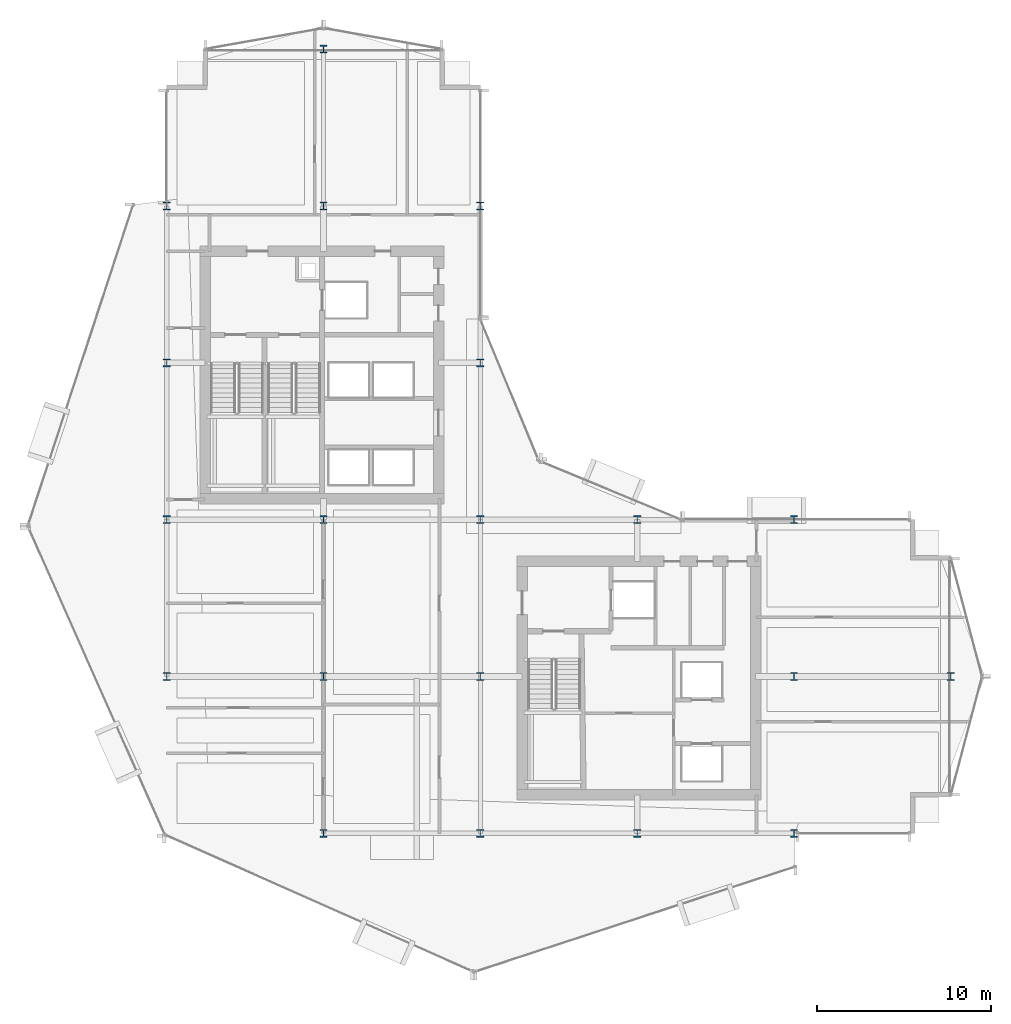
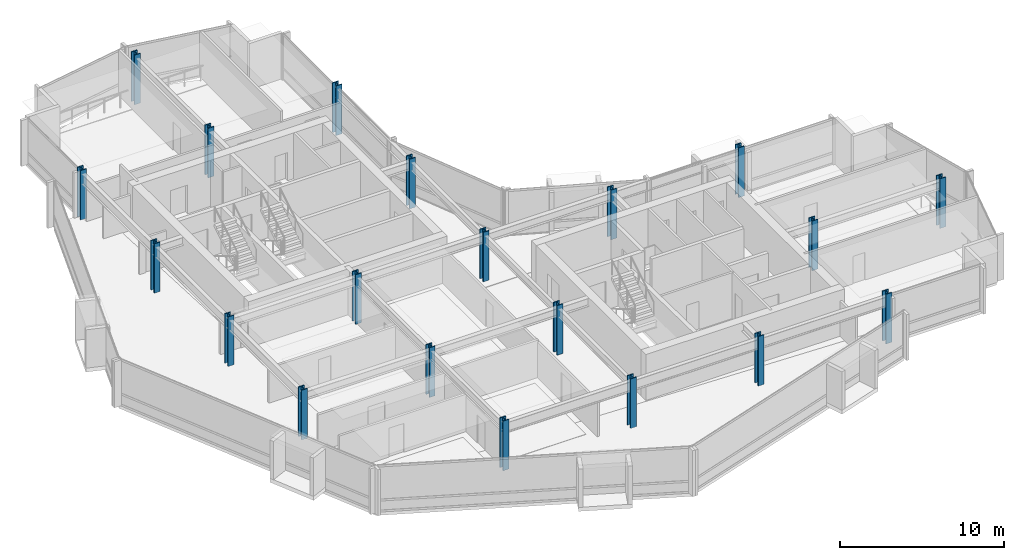
# One storey, part 1 of 29: 20 columns.
"""IFC4 building model written with IfcOpenShell, lengths in metres."""

from ifc_helpers import new_model, si_unit, direction, frame, origin, origin_2d, place, context, subcontext, project, spatial, i_section, extrude, material, material_profile, profile_set, type_object, element, save


model = new_model("IFC4")

# Units and contexts
model_context = context("Model", 3, precision=1e-05, world=origin(), true_north=direction((0.0, 1.0)))
body_context = subcontext(model_context, "Body", "Model", "MODEL_VIEW")
ifc_project = project(units=[si_unit("LENGTHUNIT", "METRE"), si_unit("AREAUNIT", "SQUARE_METRE"), si_unit("VOLUMEUNIT", "CUBIC_METRE"), si_unit("PLANEANGLEUNIT", "RADIAN"), si_unit("MASSUNIT", "GRAM", prefix="KILO")], contexts=[model_context])

# Site, building, storey
site_placement = place(None, origin())
site = spatial("IfcSite", under=ifc_project, at=site_placement, CompositionType="ELEMENT")
building_placement = place(site_placement, origin())
building = spatial("IfcBuilding", under=site, at=building_placement, Name="Solvaryn Broadcast Tower", CompositionType="ELEMENT")
storey_placement = place(building_placement, frame((0.0, 0.0, 113.699951171875)))
storey = spatial("IfcBuildingStorey", under=building, at=storey_placement, Name="L27", CompositionType="ELEMENT", Elevation=113.699951171875)

# Columns
ifc_material_1 = material(Name="Steel ASTM A913 Grade 65", Category="steel")
ifc_material_profile_1 = material_profile(ifc_material_1, i_section(OverallWidth=0.41796875, OverallDepth=0.455078125, WebThickness=0.0419921875, FlangeThickness=0.067626953125, FilletRadius=0.014892578125, at=origin_2d()))
ifc_profile_set_1 = profile_set([ifc_material_profile_1], Name="Steel ASTM A913 Grade 65")
column_type_1 = type_object("IfcColumnType", Name="COL-C05E-W14X370", PredefinedType="COLUMN", material=ifc_profile_set_1)
for number, where, z_axis, x_axis, name in (
    (1, (9.0, 18.0, 0.0), (0.0, 0.0, 1.0), (1.0, 0.0, 0.0), "L27 Column (9.0, 18.0)"),
    (2, (9.0, 27.0, 0.0), (0.0, 0.0, 1.0), (1.0, 0.0, 0.0), "L27 Column (9.0, 27.0)"),
    (3, (9.0, 36.0, 0.0), (0.0, 0.0, 1.0), (1.0, 0.0, 0.0), "L27 Column (9.0, 36.0)"),
    (4, (9.0, 45.0, 0.0), (0.0, 0.0, 1.0), (1.0, 0.0, 0.0), "L27 Column (9.0, 45.0)"),
    (5, (18.0, 9.0, 0.0), (0.0, 0.0, 1.0), (1.0, 0.0, 0.0), "L27 Column (18.0, 9.0)"),
    (6, (18.0, 54.0, 0.0), (0.0, 0.0, 1.0), (1.0, 0.0, 0.0), "L27 Column (18.0, 54.0)"),
    (7, (27.0, 9.0, 0.0), (0.0, 0.0, 1.0), (1.0, 0.0, 0.0), "L27 Column (27.0, 9.0)"),
    (8, (27.0, 36.0, 0.0), (0.0, 0.0, 1.0), (1.0, 0.0, 0.0), "L27 Column (27.0, 36.0)"),
    (9, (27.0, 45.0, 0.0), (0.0, 0.0, 1.0), (1.0, 0.0, 0.0), "L27 Column (27.0, 45.0)"),
    (10, (36.0, 9.0, 0.0), (0.0, 0.0, 1.0), (1.0, 0.0, 0.0), "L27 Column (36.0, 9.0)"),
    (11, (36.0, 27.0, 0.0), (0.0, 0.0, 1.0), (1.0, 0.0, 0.0), "L27 Column (36.0, 27.0)"),
    (12, (45.0, 9.0, 0.0), (0.0, 0.0, 1.0), (1.0, 0.0, 0.0), "L27 Column (45.0, 9.0)"),
    (13, (45.0, 27.0, 0.0), (0.0, 0.0, 1.0), (1.0, 0.0, 0.0), "L27 Column (45.0, 27.0)"),
    (14, (54.0, 18.0, 0.0), (0.0, 0.0, 1.0), (1.0, 0.0, 0.0), "L27 Column (54.0, 18.0)"),
):
    element("IfcColumn", number, at=place(storey_placement, frame(where, z_axis=z_axis, x_axis=x_axis)), inside=storey, type_object=column_type_1, Name=name, PredefinedType="COLUMN", context=body_context, shape_type="SweptSolid", body=[
        extrude(i_section(OverallWidth=0.41796875, OverallDepth=0.455078125, WebThickness=0.0419921875, FlangeThickness=0.067626953125, FilletRadius=0.014892578125, at=origin_2d()), origin(), (0.0, 0.0, 1.0), 3.699951171875),
    ])
ifc_material_2 = material(Name="Steel ASTM A913 Grade 65", Category="steel")
ifc_material_profile_2 = material_profile(ifc_material_2, i_section(OverallWidth=0.41796875, OverallDepth=0.455078125, WebThickness=0.0419921875, FlangeThickness=0.067626953125, FilletRadius=0.014892578125, at=origin_2d()))
ifc_profile_set_2 = profile_set([ifc_material_profile_2], Name="Steel ASTM A913 Grade 65")
column_type_2 = type_object("IfcColumnType", Name="COL-C05I-W14X370", PredefinedType="COLUMN", material=ifc_profile_set_2)
for number, where, z_axis, x_axis, name in (
    (15, (18.0, 18.0, 0.0), (0.0, 0.0, 1.0), (1.0, 0.0, 0.0), "L27 Column (18.0, 18.0)"),
    (16, (18.0, 27.0, 0.0), (0.0, 0.0, 1.0), (1.0, 0.0, 0.0), "L27 Column (18.0, 27.0)"),
    (17, (18.0, 45.0, 0.0), (0.0, 0.0, 1.0), (1.0, 0.0, 0.0), "L27 Column (18.0, 45.0)"),
    (18, (27.0, 18.0, 0.0), (0.0, 0.0, 1.0), (1.0, 0.0, 0.0), "L27 Column (27.0, 18.0)"),
    (19, (27.0, 27.0, 0.0), (0.0, 0.0, 1.0), (1.0, 0.0, 0.0), "L27 Column (27.0, 27.0)"),
    (20, (45.0, 18.0, 0.0), (0.0, 0.0, 1.0), (1.0, 0.0, 0.0), "L27 Column (45.0, 18.0)"),
):
    element("IfcColumn", number, at=place(storey_placement, frame(where, z_axis=z_axis, x_axis=x_axis)), inside=storey, type_object=column_type_2, Name=name, PredefinedType="COLUMN", context=body_context, shape_type="SweptSolid", body=[
        extrude(i_section(OverallWidth=0.41796875, OverallDepth=0.455078125, WebThickness=0.0419921875, FlangeThickness=0.067626953125, FilletRadius=0.014892578125, at=origin_2d()), origin(), (0.0, 0.0, 1.0), 3.699951171875),
    ])

save(model, "model.ifc")
